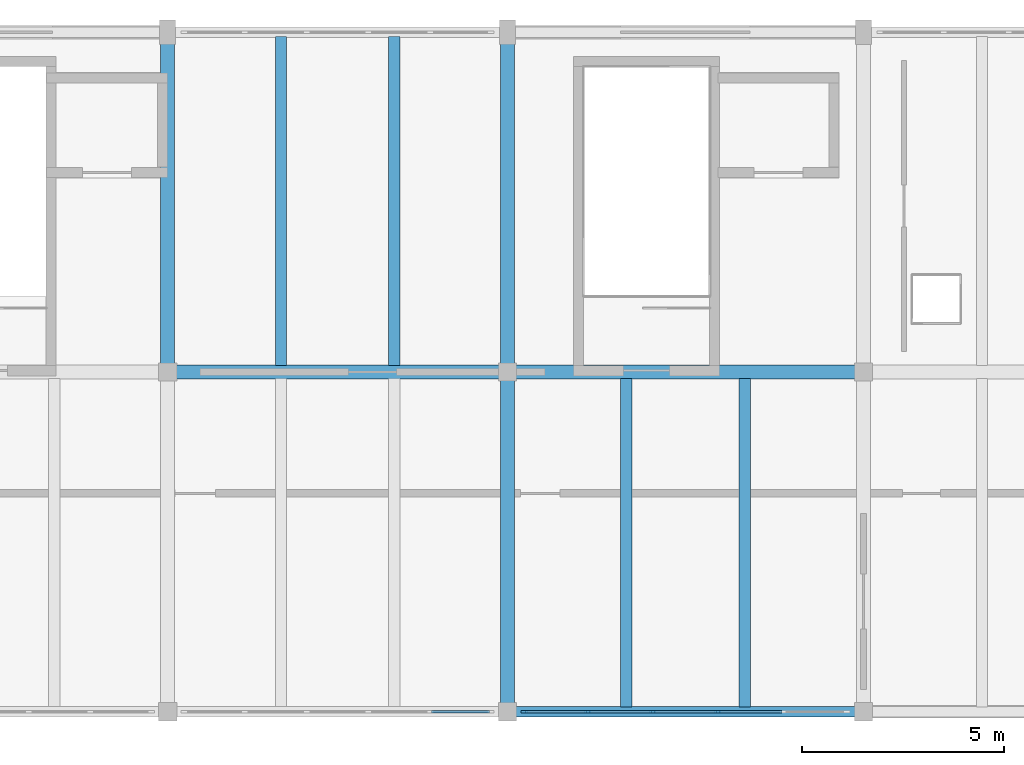
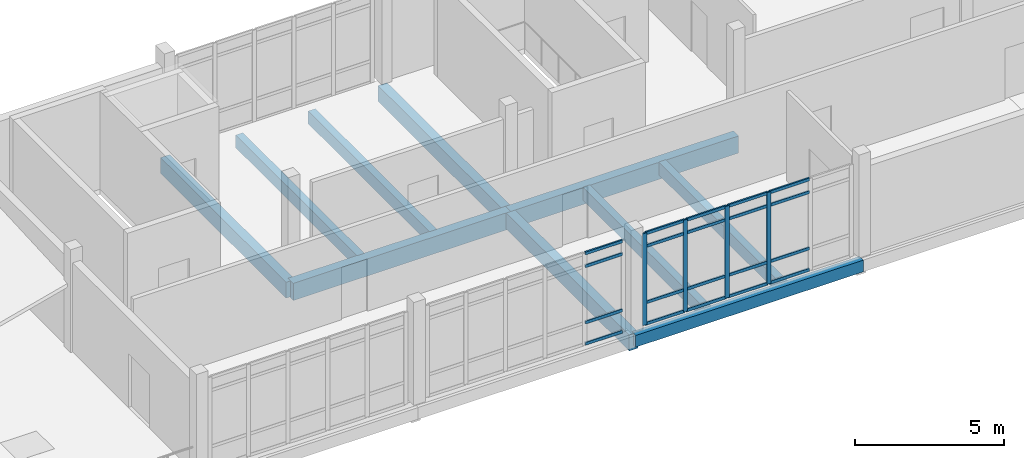
# One storey, part 3 of 13: 24 members, 10 beams, 2 elements without a shape of their own.
"""IFC4 building model written with IfcOpenShell, lengths in metres."""

import ifcopenshell
import ifcopenshell.guid

model = None  # the IFC model being written
_history = None  # IfcOwnerHistory: only IFC2X3 demands one
_inside = {}  # id of a spatial element -> (the spatial element, [elements in it])
_under = {}  # id of a project, library or spatial element -> (it, [spatial elements below it])
_declared = {}  # id of a project -> (the project, [libraries it declares])
_typed = {}  # id of a type object -> (the type object, [elements of that type])
_made_of = {}  # id of a material, layer set ... -> (it, [elements and type objects made of it])


def new_model(schema):
    """Start an empty IFC model of exactly this schema.

    Asked for "IFC4X3", IfcOpenShell would pick the latest addendum, in which some entities
    have other attributes; the version numbers below select the first issue.
    IFC2X3 requires an IfcOwnerHistory on every rooted entity: one is made here for all.
    """
    global model, _history
    if schema == "IFC4X3":
        model = ifcopenshell.file(schema_version=(4, 3, 0, 0))
    else:
        model = ifcopenshell.file(schema=schema)
    _inside.clear()
    _under.clear()
    _declared.clear()
    _typed.clear()
    _made_of.clear()
    _history = None
    if model.schema == "IFC2X3":
        org = make("IfcOrganization", Name="unknown")
        user = make(
            "IfcPersonAndOrganization",
            ThePerson=make("IfcPerson", FamilyName="unknown"),
            TheOrganization=org,
        )
        app = make(
            "IfcApplication",
            ApplicationDeveloper=org,
            Version="unknown",
            ApplicationFullName="unknown",
            ApplicationIdentifier="unknown",
        )
        _history = make(
            "IfcOwnerHistory",
            OwningUser=user,
            OwningApplication=app,
            ChangeAction="ADDED",
            CreationDate=0,
        )
    return model


def make(cls, **values):
    """One entity of the class cls with the attributes given. An attribute that is None is left unset."""
    return model.create_entity(
        cls, **{name: value for name, value in values.items() if value is not None}
    )


def rooted(cls, **values):
    """An entity with a GlobalId (a new one), such as an element, a storey or a relation."""
    return make(cls, GlobalId=ifcopenshell.guid.new(), OwnerHistory=_history, **values)


def si_unit(unit_type, name, prefix=None):
    """IfcSIUnit, for example si_unit("LENGTHUNIT", "METRE", prefix="MILLI")."""
    return make("IfcSIUnit", UnitType=unit_type, Prefix=prefix, Name=name)


def assignment(units):
    """IfcUnitAssignment: the units of a project."""
    return None if units is None else make("IfcUnitAssignment", Units=units)


def point(xyz):
    """IfcCartesianPoint."""
    return None if xyz is None else make("IfcCartesianPoint", Coordinates=xyz)


def direction(xyz):
    """IfcDirection."""
    return None if xyz is None else make("IfcDirection", DirectionRatios=xyz)


def frame(location, z_axis=None, x_axis=None):
    """IfcAxis2Placement3D, a coordinate frame: its origin and axes. An axis left out is left unset."""
    return make(
        "IfcAxis2Placement3D",
        Location=point(location),
        Axis=direction(z_axis),
        RefDirection=direction(x_axis),
    )


def frame_2d(location, x_axis=None):
    """IfcAxis2Placement2D, a coordinate frame in the plane: its origin and x axis."""
    return make(
        "IfcAxis2Placement2D", Location=point(location), RefDirection=direction(x_axis)
    )


def origin():
    """The frame at (0, 0, 0) with its axes left unset."""
    return frame((0.0, 0.0, 0.0))


def origin_2d():
    """The frame at (0, 0) in the plane with its x axis left unset."""
    return frame_2d((0.0, 0.0))


def place(relative_to, where):
    """IfcLocalPlacement: puts the frame where relative to a parent placement (None: the world)."""
    return make(
        "IfcLocalPlacement", PlacementRelTo=relative_to, RelativePlacement=where
    )


def context(
    kind, dimensions, precision=None, world=None, true_north=None, identifier=None
):
    """IfcGeometricRepresentationContext, for example the 3D "Model" context."""
    return make(
        "IfcGeometricRepresentationContext",
        ContextIdentifier=identifier,
        ContextType=kind,
        CoordinateSpaceDimension=dimensions,
        Precision=precision,
        WorldCoordinateSystem=world,
        TrueNorth=true_north,
    )


def subcontext(parent, identifier, kind, view, scale=None):
    """IfcGeometricRepresentationSubContext, for example "Body" below "Model"."""
    return make(
        "IfcGeometricRepresentationSubContext",
        ContextIdentifier=identifier,
        ContextType=kind,
        ParentContext=parent,
        TargetScale=scale,
        TargetView=view,
    )


def project(units=None, contexts=None):
    """IfcProject with its units and contexts."""
    return rooted(
        "IfcProject",
        Name="project",
        RepresentationContexts=contexts,
        UnitsInContext=assignment(units),
    )


def spatial(cls, under=None, at=None, **own):
    """A site, building, storey or space (cls), placed at a placement, below another one or the project."""
    s = rooted(cls, ObjectPlacement=at, **own)
    if under is not None:
        _under.setdefault(under.id(), (under, []))[1].append(s)
    return s


def profile(cls, at=None, kind="AREA", **sizes):
    """A parametric profile (cls). Its sizes go by their IFC names, for example OverallWidth=200.0."""
    return make(cls, ProfileType=kind, Position=at, **sizes)


def rectangle(**sizes):
    """IfcRectangleProfileDef."""
    return profile("IfcRectangleProfileDef", **sizes)


def extrude(swept, where, along, depth):
    """IfcExtrudedAreaSolid: the profile swept, set in the frame where, extruded along a direction by depth."""
    return make(
        "IfcExtrudedAreaSolid",
        SweptArea=swept,
        Position=where,
        ExtrudedDirection=direction(along),
        Depth=depth,
    )


def shape(context_of_items, identifier, shape_type, items):
    """IfcShapeRepresentation: the items that make up one representation, for example the "Body"."""
    return make(
        "IfcShapeRepresentation",
        ContextOfItems=context_of_items,
        RepresentationIdentifier=identifier,
        RepresentationType=shape_type,
        Items=items,
    )


def material(Name=None, Category=None):
    """IfcMaterial."""
    return make("IfcMaterial", Name=Name, Category=Category)


def material_profile(
    of_material, cross_section, Name=None, Category=None, Priority=None
):
    """IfcMaterialProfile: a cross section and its material."""
    return make(
        "IfcMaterialProfile",
        Name=Name,
        Material=of_material,
        Profile=cross_section,
        Priority=Priority,
        Category=Category,
    )


def profile_set(profiles, Name=None, composite=None):
    """IfcMaterialProfileSet."""
    return make(
        "IfcMaterialProfileSet",
        Name=Name,
        MaterialProfiles=profiles,
        CompositeProfile=composite,
    )


def made_of(thing, what):
    """Note that an element or type object is made of a material, layer set ...; save() writes the relation."""
    if what is not None:
        _made_of.setdefault(what.id(), (what, []))[1].append(thing)
    return thing


def type_object(cls, material=None, **own):
    """A type object (cls), such as IfcWallType, which elements share."""
    return made_of(rooted(cls, **own), material)


def element(
    cls,
    number,
    at=None,
    inside=None,
    cuts=None,
    type_object=None,
    material=None,
    context=None,
    identifier="Body",
    shape_type=None,
    held_by="IfcProductDefinitionShape",
    body=None,
    shapes=None,
    **own,
):
    """One element of the class cls, such as IfcWall. Its Tag is "e" and its number.

    at: its placement. inside: the storey or other place that contains it. cuts: it is an
    opening in that element (IfcRelVoidsElement). A single representation is given by context,
    identifier, shape_type and body (its items); several are given by shapes. held_by: the class
    of the entity that holds the representations. save() writes the other relations.
    """
    e = rooted(cls, Tag="e%d" % number, ObjectPlacement=at, **own)
    if body is not None:
        shapes = [shape(context, identifier, shape_type, body)]
    if shapes is not None:
        e.Representation = make(held_by, Representations=shapes)
    if inside is not None:
        _inside.setdefault(inside.id(), (inside, []))[1].append(e)
    if cuts is not None:
        rooted(
            "IfcRelVoidsElement", RelatingBuildingElement=cuts, RelatedOpeningElement=e
        )
    if type_object is not None:
        _typed.setdefault(type_object.id(), (type_object, []))[1].append(e)
    return made_of(e, material)


def aggregate(whole, parts):
    """IfcRelAggregates: a whole, such as a stair, and the parts it consists of."""
    return rooted("IfcRelAggregates", RelatingObject=whole, RelatedObjects=parts)


def save(model, path):
    """Write the relations noted so far, then the file.

    IfcRelAggregates (storeys below a building ...), IfcRelContainedInSpatialStructure (elements
    in a storey), IfcRelDefinesByType, IfcRelAssociatesMaterial and IfcRelDeclares: one each for
    every whole, place, type object, material and project.
    """
    for whole, parts in _under.values():
        aggregate(whole, parts)
    for where, things in _inside.values():
        rooted(
            "IfcRelContainedInSpatialStructure",
            RelatedElements=things,
            RelatingStructure=where,
        )
    for kind, things in _typed.values():
        rooted("IfcRelDefinesByType", RelatedObjects=things, RelatingType=kind)
    for what, things in _made_of.values():
        rooted("IfcRelAssociatesMaterial", RelatedObjects=things, RelatingMaterial=what)
    for by, libraries in _declared.values():
        rooted("IfcRelDeclares", RelatingContext=by, RelatedDefinitions=libraries)
    model.write(path)


model = new_model("IFC4")

# Units and contexts
model_context = context("Model", 3, precision=1e-05, world=origin(), true_north=direction((0.0, 1.0)))
body_context = subcontext(model_context, "Body", "Model", "MODEL_VIEW")
ifc_project = project(units=[si_unit("LENGTHUNIT", "METRE"), si_unit("AREAUNIT", "SQUARE_METRE"), si_unit("VOLUMEUNIT", "CUBIC_METRE"), si_unit("PLANEANGLEUNIT", "RADIAN"), si_unit("MASSUNIT", "GRAM", prefix="KILO")], contexts=[model_context])

# Site, building, storey
site_placement = place(None, origin())
site = spatial("IfcSite", under=ifc_project, at=site_placement, CompositionType="ELEMENT")
building_placement = place(site_placement, origin())
building = spatial("IfcBuilding", under=site, at=building_placement, Name="Cinderway Yard Community Centre", CompositionType="ELEMENT")
storey_placement = place(building_placement, frame((0.0, 0.0, 20.10009765625)))
storey = spatial("IfcBuildingStorey", under=building, at=storey_placement, Name="L05", CompositionType="ELEMENT", Elevation=20.10009765625)

# Curtain wall, members
ifc_material_1 = material(Name="Aluminium 6063-T6", Category="aluminium")
curtain_wall_type_1 = type_object("IfcCurtainWallType", Name="ENV-CW-TYPE-27", PredefinedType="USERDEFINED", material=ifc_material_1)
curtain_wall_1_placement = place(storey_placement, origin())
curtain_wall_1 = element("IfcCurtainWall", 1, at=curtain_wall_1_placement, inside=storey, type_object=curtain_wall_type_1, Name="V4 Courtyard Curtain Wall ENV-CW-L05-ST-0191", ObjectType="GLAZED CURTAIN WALL", PredefinedType="USERDEFINED")
ifc_material_profile_1 = material_profile(ifc_material_1, rectangle(XDim=0.06005859375, YDim=0.159912109375, at=origin_2d()), Name="Aluminium 6063-T6")
ifc_profile_set_1 = profile_set([ifc_material_profile_1], Name="Aluminium 6063-T6")
member_type_1 = type_object("IfcMemberType", Name="ENV-CW-MULL-150", PredefinedType="MULLION", material=ifc_profile_set_1)
member_1_placement = place(storey_placement, frame((75.610107421875, 98.39990234375, 0.0), z_axis=(0.0, 0.0, 1.0), x_axis=(0.0, 1.0, 0.0)))
member_1 = element("IfcMember", 2, at=member_1_placement, type_object=member_type_1, Name="CW-27 mullion 1", PredefinedType="MULLION", context=body_context, shape_type="SweptSolid", body=[
    extrude(rectangle(XDim=0.06005859375, YDim=0.159912109375, at=origin_2d()), origin(), (0.0, 0.0, 1.0), 3.75),
])
member_2_placement = place(storey_placement, frame((77.18798828125, 98.39990234375, 0.0), z_axis=(0.0, 0.0, 1.0), x_axis=(0.0, 1.0, 0.0)))
member_2 = element("IfcMember", 3, at=member_2_placement, type_object=member_type_1, Name="CW-27 mullion 2", PredefinedType="MULLION", context=body_context, shape_type="SweptSolid", body=[
    extrude(rectangle(XDim=0.06005859375, YDim=0.159912109375, at=origin_2d()), origin(), (0.0, 0.0, 1.0), 3.75),
])
member_3_placement = place(storey_placement, frame((78.7958984375, 98.39990234375, 0.0), z_axis=(0.0, 0.0, 1.0), x_axis=(0.0, 1.0, 0.0)))
member_3 = element("IfcMember", 4, at=member_3_placement, type_object=member_type_1, Name="CW-27 mullion 3", PredefinedType="MULLION", context=body_context, shape_type="SweptSolid", body=[
    extrude(rectangle(XDim=0.06005859375, YDim=0.159912109375, at=origin_2d()), origin(), (0.0, 0.0, 1.0), 3.75),
])
member_4_placement = place(storey_placement, frame((80.404052734375, 98.39990234375, 0.0), z_axis=(0.0, 0.0, 1.0), x_axis=(0.0, 1.0, 0.0)))
member_4 = element("IfcMember", 5, at=member_4_placement, type_object=member_type_1, Name="CW-27 mullion 4", PredefinedType="MULLION", context=body_context, shape_type="SweptSolid", body=[
    extrude(rectangle(XDim=0.06005859375, YDim=0.159912109375, at=origin_2d()), origin(), (0.0, 0.0, 1.0), 3.75),
])

curtain_wall_type_2 = type_object("IfcCurtainWallType", Name="ENV-CW-TYPE-26", PredefinedType="USERDEFINED", material=ifc_material_1)
curtain_wall_2_placement = place(storey_placement, origin())
curtain_wall_2 = element("IfcCurtainWall", 6, at=curtain_wall_2_placement, inside=storey, type_object=curtain_wall_type_2, Name="V4 Courtyard Curtain Wall ENV-CW-L05-ST-0190", ObjectType="GLAZED CURTAIN WALL", PredefinedType="USERDEFINED")
ifc_material_profile_2 = material_profile(ifc_material_1, rectangle(XDim=0.06005859375, YDim=0.1201171875, at=origin_2d()), Name="Aluminium 6063-T6")
ifc_profile_set_2 = profile_set([ifc_material_profile_2], Name="Aluminium 6063-T6")
member_type_2 = type_object("IfcMemberType", Name="ENV-CW-TRAN-110", PredefinedType="USERDEFINED", material=ifc_profile_set_2)
member_5_placement = place(storey_placement, frame((73.322021484375, 98.39990234375, 0.02978515625), z_axis=(1.0, 0.0, 0.0), x_axis=(0.0, 1.0, 0.0)))
member_5 = element("IfcMember", 7, at=member_5_placement, type_object=member_type_2, Name="CW-26 transom 5.1", ObjectType="TRANSOM", PredefinedType="USERDEFINED", context=body_context, shape_type="SweptSolid", body=[
    extrude(rectangle(XDim=0.06005859375, YDim=0.1201171875, at=origin_2d()), origin(), (0.0, 0.0, 1.0), 1.43798828125),
])
member_6_placement = place(storey_placement, frame((73.322021484375, 98.39990234375, 0.89990234375), z_axis=(1.0, 0.0, 0.0), x_axis=(0.0, 1.0, 0.0)))
member_6 = element("IfcMember", 8, at=member_6_placement, type_object=member_type_2, Name="CW-26 transom 5.2", ObjectType="TRANSOM", PredefinedType="USERDEFINED", context=body_context, shape_type="SweptSolid", body=[
    extrude(rectangle(XDim=0.06005859375, YDim=0.1201171875, at=origin_2d()), origin(), (0.0, 0.0, 1.0), 1.43798828125),
])
member_7_placement = place(storey_placement, frame((73.322021484375, 98.39990234375, 3.199951171875), z_axis=(1.0, 0.0, 0.0), x_axis=(0.0, 1.0, 0.0)))
member_7 = element("IfcMember", 9, at=member_7_placement, type_object=member_type_2, Name="CW-26 transom 5.3", ObjectType="TRANSOM", PredefinedType="USERDEFINED", context=body_context, shape_type="SweptSolid", body=[
    extrude(rectangle(XDim=0.06005859375, YDim=0.1201171875, at=origin_2d()), origin(), (0.0, 0.0, 1.0), 1.43798828125),
])
member_8_placement = place(storey_placement, frame((73.322021484375, 98.39990234375, 3.719970703125), z_axis=(1.0, 0.0, 0.0), x_axis=(0.0, 1.0, 0.0)))
member_8 = element("IfcMember", 10, at=member_8_placement, type_object=member_type_2, Name="CW-26 transom 5.4", ObjectType="TRANSOM", PredefinedType="USERDEFINED", context=body_context, shape_type="SweptSolid", body=[
    extrude(rectangle(XDim=0.06005859375, YDim=0.1201171875, at=origin_2d()), origin(), (0.0, 0.0, 1.0), 1.43798828125),
])
aggregate(curtain_wall_2, [member_5, member_6, member_7, member_8])

# Member
member_9_placement = place(storey_placement, frame((75.639892578125, 98.39990234375, 0.02978515625), z_axis=(1.0, 0.0, 0.0), x_axis=(0.0, 1.0, 0.0)))
member_9 = element("IfcMember", 11, at=member_9_placement, type_object=member_type_2, Name="CW-27 transom 1.1", ObjectType="TRANSOM", PredefinedType="USERDEFINED", context=body_context, shape_type="SweptSolid", body=[
    extrude(rectangle(XDim=0.06005859375, YDim=0.1201171875, at=origin_2d()), origin(), (0.0, 0.0, 1.0), 1.51806640625),
])

member_10_placement = place(storey_placement, frame((75.639892578125, 98.39990234375, 0.89990234375), z_axis=(1.0, 0.0, 0.0), x_axis=(0.0, 1.0, 0.0)))
member_10 = element("IfcMember", 12, at=member_10_placement, type_object=member_type_2, Name="CW-27 transom 1.2", ObjectType="TRANSOM", PredefinedType="USERDEFINED", context=body_context, shape_type="SweptSolid", body=[
    extrude(rectangle(XDim=0.06005859375, YDim=0.1201171875, at=origin_2d()), origin(), (0.0, 0.0, 1.0), 1.51806640625),
])

member_11_placement = place(storey_placement, frame((75.639892578125, 98.39990234375, 3.199951171875), z_axis=(1.0, 0.0, 0.0), x_axis=(0.0, 1.0, 0.0)))
member_11 = element("IfcMember", 13, at=member_11_placement, type_object=member_type_2, Name="CW-27 transom 1.3", ObjectType="TRANSOM", PredefinedType="USERDEFINED", context=body_context, shape_type="SweptSolid", body=[
    extrude(rectangle(XDim=0.06005859375, YDim=0.1201171875, at=origin_2d()), origin(), (0.0, 0.0, 1.0), 1.51806640625),
])

member_12_placement = place(storey_placement, frame((75.639892578125, 98.39990234375, 3.719970703125), z_axis=(1.0, 0.0, 0.0), x_axis=(0.0, 1.0, 0.0)))
member_12 = element("IfcMember", 14, at=member_12_placement, type_object=member_type_2, Name="CW-27 transom 1.4", ObjectType="TRANSOM", PredefinedType="USERDEFINED", context=body_context, shape_type="SweptSolid", body=[
    extrude(rectangle(XDim=0.06005859375, YDim=0.1201171875, at=origin_2d()), origin(), (0.0, 0.0, 1.0), 1.51806640625),
])

member_13_placement = place(storey_placement, frame((77.218017578125, 98.39990234375, 0.02978515625), z_axis=(1.0, 0.0, 0.0), x_axis=(0.0, 1.0, 0.0)))
member_13 = element("IfcMember", 15, at=member_13_placement, type_object=member_type_2, Name="CW-27 transom 2.1", ObjectType="TRANSOM", PredefinedType="USERDEFINED", context=body_context, shape_type="SweptSolid", body=[
    extrude(rectangle(XDim=0.06005859375, YDim=0.1201171875, at=origin_2d()), origin(), (0.0, 0.0, 1.0), 1.548095703125),
])

member_14_placement = place(storey_placement, frame((77.218017578125, 98.39990234375, 0.89990234375), z_axis=(1.0, 0.0, 0.0), x_axis=(0.0, 1.0, 0.0)))
member_14 = element("IfcMember", 16, at=member_14_placement, type_object=member_type_2, Name="CW-27 transom 2.2", ObjectType="TRANSOM", PredefinedType="USERDEFINED", context=body_context, shape_type="SweptSolid", body=[
    extrude(rectangle(XDim=0.06005859375, YDim=0.1201171875, at=origin_2d()), origin(), (0.0, 0.0, 1.0), 1.548095703125),
])

member_15_placement = place(storey_placement, frame((77.218017578125, 98.39990234375, 3.199951171875), z_axis=(1.0, 0.0, 0.0), x_axis=(0.0, 1.0, 0.0)))
member_15 = element("IfcMember", 17, at=member_15_placement, type_object=member_type_2, Name="CW-27 transom 2.3", ObjectType="TRANSOM", PredefinedType="USERDEFINED", context=body_context, shape_type="SweptSolid", body=[
    extrude(rectangle(XDim=0.06005859375, YDim=0.1201171875, at=origin_2d()), origin(), (0.0, 0.0, 1.0), 1.548095703125),
])

member_16_placement = place(storey_placement, frame((77.218017578125, 98.39990234375, 3.719970703125), z_axis=(1.0, 0.0, 0.0), x_axis=(0.0, 1.0, 0.0)))
member_16 = element("IfcMember", 18, at=member_16_placement, type_object=member_type_2, Name="CW-27 transom 2.4", ObjectType="TRANSOM", PredefinedType="USERDEFINED", context=body_context, shape_type="SweptSolid", body=[
    extrude(rectangle(XDim=0.06005859375, YDim=0.1201171875, at=origin_2d()), origin(), (0.0, 0.0, 1.0), 1.548095703125),
])

member_17_placement = place(storey_placement, frame((78.825927734375, 98.39990234375, 0.02978515625), z_axis=(1.0, 0.0, 0.0), x_axis=(0.0, 1.0, 0.0)))
member_17 = element("IfcMember", 19, at=member_17_placement, type_object=member_type_2, Name="CW-27 transom 3.1", ObjectType="TRANSOM", PredefinedType="USERDEFINED", context=body_context, shape_type="SweptSolid", body=[
    extrude(rectangle(XDim=0.06005859375, YDim=0.1201171875, at=origin_2d()), origin(), (0.0, 0.0, 1.0), 1.548095703125),
])

member_18_placement = place(storey_placement, frame((78.825927734375, 98.39990234375, 0.89990234375), z_axis=(1.0, 0.0, 0.0), x_axis=(0.0, 1.0, 0.0)))
member_18 = element("IfcMember", 20, at=member_18_placement, type_object=member_type_2, Name="CW-27 transom 3.2", ObjectType="TRANSOM", PredefinedType="USERDEFINED", context=body_context, shape_type="SweptSolid", body=[
    extrude(rectangle(XDim=0.06005859375, YDim=0.1201171875, at=origin_2d()), origin(), (0.0, 0.0, 1.0), 1.548095703125),
])

member_19_placement = place(storey_placement, frame((78.825927734375, 98.39990234375, 3.199951171875), z_axis=(1.0, 0.0, 0.0), x_axis=(0.0, 1.0, 0.0)))
member_19 = element("IfcMember", 21, at=member_19_placement, type_object=member_type_2, Name="CW-27 transom 3.3", ObjectType="TRANSOM", PredefinedType="USERDEFINED", context=body_context, shape_type="SweptSolid", body=[
    extrude(rectangle(XDim=0.06005859375, YDim=0.1201171875, at=origin_2d()), origin(), (0.0, 0.0, 1.0), 1.548095703125),
])

member_20_placement = place(storey_placement, frame((78.825927734375, 98.39990234375, 3.719970703125), z_axis=(1.0, 0.0, 0.0), x_axis=(0.0, 1.0, 0.0)))
member_20 = element("IfcMember", 22, at=member_20_placement, type_object=member_type_2, Name="CW-27 transom 3.4", ObjectType="TRANSOM", PredefinedType="USERDEFINED", context=body_context, shape_type="SweptSolid", body=[
    extrude(rectangle(XDim=0.06005859375, YDim=0.1201171875, at=origin_2d()), origin(), (0.0, 0.0, 1.0), 1.548095703125),
])

member_21_placement = place(storey_placement, frame((80.43408203125, 98.39990234375, 0.02978515625), z_axis=(1.0, 0.0, 0.0), x_axis=(0.0, 1.0, 0.0)))
member_21 = element("IfcMember", 23, at=member_21_placement, type_object=member_type_2, Name="CW-27 transom 4.1", ObjectType="TRANSOM", PredefinedType="USERDEFINED", context=body_context, shape_type="SweptSolid", body=[
    extrude(rectangle(XDim=0.06005859375, YDim=0.1201171875, at=origin_2d()), origin(), (0.0, 0.0, 1.0), 1.5478515625),
])

member_22_placement = place(storey_placement, frame((80.43408203125, 98.39990234375, 0.89990234375), z_axis=(1.0, 0.0, 0.0), x_axis=(0.0, 1.0, 0.0)))
member_22 = element("IfcMember", 24, at=member_22_placement, type_object=member_type_2, Name="CW-27 transom 4.2", ObjectType="TRANSOM", PredefinedType="USERDEFINED", context=body_context, shape_type="SweptSolid", body=[
    extrude(rectangle(XDim=0.06005859375, YDim=0.1201171875, at=origin_2d()), origin(), (0.0, 0.0, 1.0), 1.5478515625),
])

member_23_placement = place(storey_placement, frame((80.43408203125, 98.39990234375, 3.199951171875), z_axis=(1.0, 0.0, 0.0), x_axis=(0.0, 1.0, 0.0)))
member_23 = element("IfcMember", 25, at=member_23_placement, type_object=member_type_2, Name="CW-27 transom 4.3", ObjectType="TRANSOM", PredefinedType="USERDEFINED", context=body_context, shape_type="SweptSolid", body=[
    extrude(rectangle(XDim=0.06005859375, YDim=0.1201171875, at=origin_2d()), origin(), (0.0, 0.0, 1.0), 1.5478515625),
])

member_24_placement = place(storey_placement, frame((80.43408203125, 98.39990234375, 3.719970703125), z_axis=(1.0, 0.0, 0.0), x_axis=(0.0, 1.0, 0.0)))
member_24 = element("IfcMember", 26, at=member_24_placement, type_object=member_type_2, Name="CW-27 transom 4.4", ObjectType="TRANSOM", PredefinedType="USERDEFINED", context=body_context, shape_type="SweptSolid", body=[
    extrude(rectangle(XDim=0.06005859375, YDim=0.1201171875, at=origin_2d()), origin(), (0.0, 0.0, 1.0), 1.5478515625),
])

aggregate(curtain_wall_1, [member_1, member_2, member_3, member_4, member_9, member_10, member_11, member_12, member_13, member_14, member_15, member_16, member_17, member_18, member_19, member_20, member_21, member_22, member_23, member_24])

# Beams
ifc_material_2 = material(Name="Concrete C40/50", Category="concrete")
ifc_material_profile_3 = material_profile(ifc_material_2, rectangle(XDim=0.260009765625, YDim=0.47998046875, at=origin_2d()), Name="Concrete C40/50")
ifc_profile_set_3 = profile_set([ifc_material_profile_3], Name="Concrete C40/50")
beam_type_1 = type_object("IfcBeamType", Name="STR-BM-RC260X480", PredefinedType="SPANDREL", material=ifc_profile_set_3)
beam_1_placement = place(storey_placement, frame((75.199951171875, 98.39990234375, -0.460205078125), z_axis=(1.0, 0.0, 0.0), x_axis=(0.0, 1.0, 0.0)))
element("IfcBeam", 27, at=beam_1_placement, inside=storey, type_object=beam_type_1, Name="Primary girder STR-BM-L05-SP01-0925", PredefinedType="SPANDREL", context=body_context, shape_type="SweptSolid", body=[
    extrude(rectangle(XDim=0.260009765625, YDim=0.47998046875, at=origin_2d()), origin(), (0.0, 0.0, 1.0), 8.800048828125),
])
ifc_material_3 = material(Name="Concrete C35/45", Category="concrete")
ifc_material_profile_4 = material_profile(ifc_material_3, rectangle(XDim=0.280029296875, YDim=0.52001953125, at=origin_2d()), Name="Concrete C35/45")
ifc_profile_set_4 = profile_set([ifc_material_profile_4], Name="Concrete C35/45")
beam_type_2 = type_object("IfcBeamType", Name="STR-BM-RC280X520", PredefinedType="JOIST", material=ifc_profile_set_4)
for number, where, z_axis, x_axis, name in (
    (28, (69.60009765625, 106.95703125, -0.47998046875), (0.0, 1.0, 0.0), (-1.0, 0.0, 0.0), "Secondary joist STR-BM-L05-BJ04-0977"),
    (29, (72.39990234375, 106.95703125, -0.47998046875), (0.0, 1.0, 0.0), (-1.0, 0.0, 0.0), "Secondary joist STR-BM-L05-BJ04-0978"),
):
    element("IfcBeam", number, at=place(storey_placement, frame(where, z_axis=z_axis, x_axis=x_axis)), inside=storey, type_object=beam_type_2, Name=name, PredefinedType="JOIST", context=body_context, shape_type="SweptSolid", body=[
        extrude(rectangle(XDim=0.280029296875, YDim=0.52001953125, at=origin_2d()), origin(), (0.0, 0.0, 1.0), 8.130859375),
    ])
for number, where, z_axis, x_axis, name in (
    (30, (78.133056640625, 98.511962890625, -0.47998046875), (0.0, 1.0, 0.0), (-1.0, 0.0, 0.0), "Secondary joist STR-BM-L05-BJ04-0979"),
    (31, (81.06689453125, 98.511962890625, -0.47998046875), (0.0, 1.0, 0.0), (-1.0, 0.0, 0.0), "Secondary joist STR-BM-L05-BJ04-0980"),
):
    element("IfcBeam", number, at=place(storey_placement, frame(where, z_axis=z_axis, x_axis=x_axis)), inside=storey, type_object=beam_type_2, Name=name, PredefinedType="JOIST", context=body_context, shape_type="SweptSolid", body=[
        extrude(rectangle(XDim=0.280029296875, YDim=0.52001953125, at=origin_2d()), origin(), (0.0, 0.0, 1.0), 8.131103515625),
    ])
ifc_material_profile_5 = material_profile(ifc_material_3, rectangle(XDim=0.35009765625, YDim=0.64990234375, at=origin_2d()), Name="Concrete C35/45")
ifc_profile_set_5 = profile_set([ifc_material_profile_5], Name="Concrete C35/45")
beam_type_3 = type_object("IfcBeamType", Name="STR-BM-RC350X650", PredefinedType="BEAM", material=ifc_profile_set_5)
beam_2_placement = place(storey_placement, frame((66.800048828125, 106.800048828125, -0.545166015625), z_axis=(0.0, 1.0, 0.0), x_axis=(-1.0, 0.0, 0.0)))
element("IfcBeam", 32, at=beam_2_placement, inside=storey, type_object=beam_type_3, Name="Transverse girder STR-BM-L05-BG08-0954", PredefinedType="BEAM", context=body_context, shape_type="SweptSolid", body=[
    extrude(rectangle(XDim=0.35009765625, YDim=0.64990234375, at=origin_2d()), origin(), (0.0, 0.0, 1.0), 8.39990234375),
])
beam_3_placement = place(storey_placement, frame((75.199951171875, 98.39990234375, -0.545166015625), z_axis=(0.0, 1.0, 0.0), x_axis=(-1.0, 0.0, 0.0)))
element("IfcBeam", 33, at=beam_3_placement, inside=storey, type_object=beam_type_3, Name="Transverse girder STR-BM-L05-BG08-0955", PredefinedType="BEAM", context=body_context, shape_type="SweptSolid", body=[
    extrude(rectangle(XDim=0.35009765625, YDim=0.64990234375, at=origin_2d()), origin(), (0.0, 0.0, 1.0), 8.400146484375),
])
beam_4_placement = place(storey_placement, frame((75.199951171875, 106.800048828125, -0.545166015625), z_axis=(0.0, 1.0, 0.0), x_axis=(-1.0, 0.0, 0.0)))
element("IfcBeam", 34, at=beam_4_placement, inside=storey, type_object=beam_type_3, Name="Transverse girder STR-BM-L05-BG08-0956", PredefinedType="BEAM", context=body_context, shape_type="SweptSolid", body=[
    extrude(rectangle(XDim=0.35009765625, YDim=0.64990234375, at=origin_2d()), origin(), (0.0, 0.0, 1.0), 8.39990234375),
])
ifc_material_profile_6 = material_profile(ifc_material_3, rectangle(XDim=0.35009765625, YDim=0.699951171875, at=origin_2d()), Name="Concrete C35/45")
ifc_profile_set_6 = profile_set([ifc_material_profile_6], Name="Concrete C35/45")
beam_type_4 = type_object("IfcBeamType", Name="STR-BM-RC350X700", PredefinedType="BEAM", material=ifc_profile_set_6)
beam_5_placement = place(storey_placement, frame((66.800048828125, 106.800048828125, -0.570068359375), z_axis=(1.0, 0.0, 0.0), x_axis=(0.0, 1.0, 0.0)))
element("IfcBeam", 35, at=beam_5_placement, inside=storey, type_object=beam_type_4, Name="Primary girder STR-BM-L05-BG07-0933", PredefinedType="BEAM", context=body_context, shape_type="SweptSolid", body=[
    extrude(rectangle(XDim=0.35009765625, YDim=0.699951171875, at=origin_2d()), origin(), (0.0, 0.0, 1.0), 8.39990234375),
])
beam_6_placement = place(storey_placement, frame((75.199951171875, 106.800048828125, -0.570068359375), z_axis=(1.0, 0.0, 0.0), x_axis=(0.0, 1.0, 0.0)))
element("IfcBeam", 36, at=beam_6_placement, inside=storey, type_object=beam_type_4, Name="Primary girder STR-BM-L05-BG07-0934", PredefinedType="BEAM", context=body_context, shape_type="SweptSolid", body=[
    extrude(rectangle(XDim=0.35009765625, YDim=0.699951171875, at=origin_2d()), origin(), (0.0, 0.0, 1.0), 8.800048828125),
])

save(model, "model.ifc")
